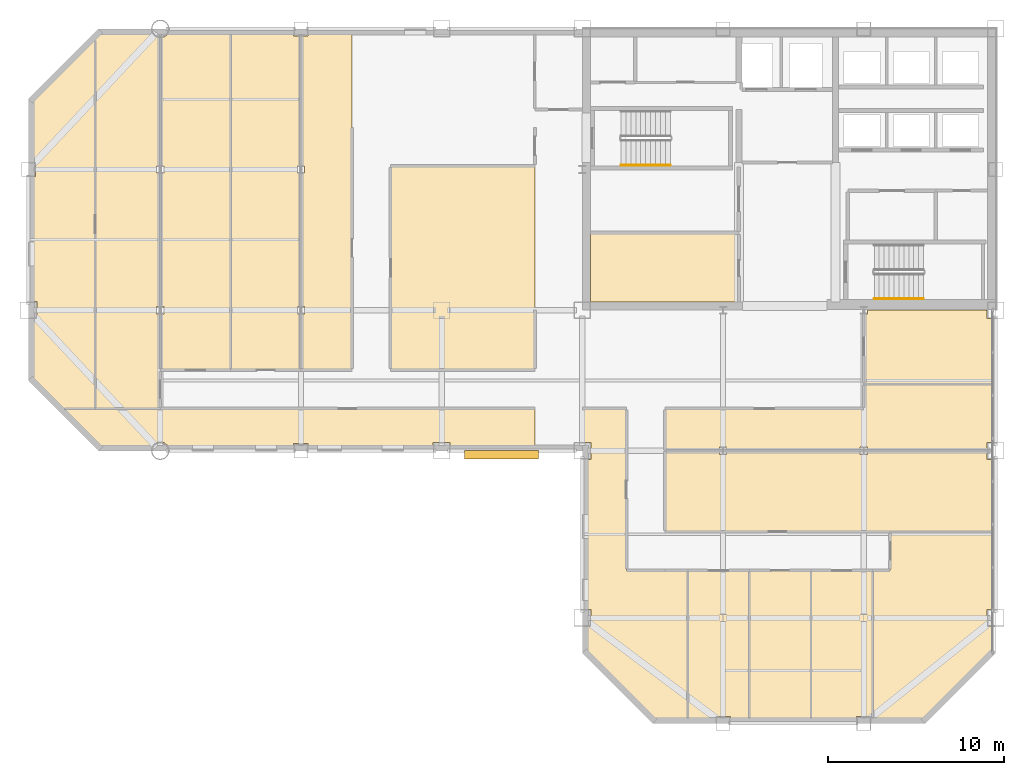
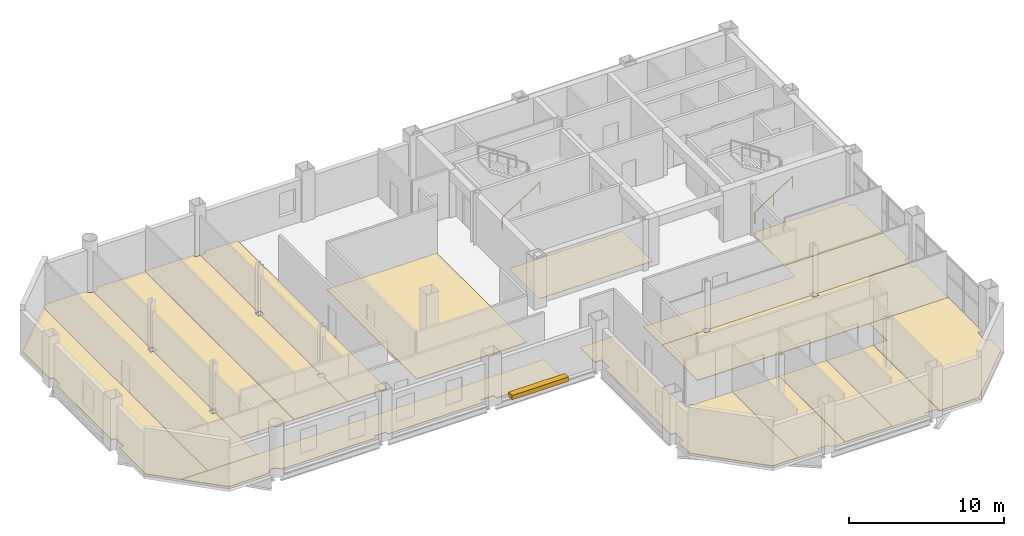
# One storey, part 11 of 12: 16 coverings, 2 railings, 1 shading device.
"""IFC4 building model written with IfcOpenShell, lengths in metres."""

from ifc_helpers import new_model, si_unit, direction, frame, origin, origin_2d, place, context, subcontext, project, spatial, polyline, rectangle, circle, outline, extrude, material, layer, layer_set, type_object, element, save


model = new_model("IFC4")

# Units and contexts
model_context = context("Model", 3, precision=1e-05, world=origin(), true_north=direction((0.0, 1.0)))
body_context = subcontext(model_context, "Body", "Model", "MODEL_VIEW")
ifc_project = project(units=[si_unit("LENGTHUNIT", "METRE"), si_unit("AREAUNIT", "SQUARE_METRE"), si_unit("VOLUMEUNIT", "CUBIC_METRE"), si_unit("PLANEANGLEUNIT", "RADIAN"), si_unit("MASSUNIT", "GRAM", prefix="KILO")], contexts=[model_context])

# Site, building, storey
site_placement = place(None, origin())
site = spatial("IfcSite", under=ifc_project, at=site_placement, CompositionType="ELEMENT")
building_placement = place(site_placement, origin())
building = spatial("IfcBuilding", under=site, at=building_placement, Name="Qianrong Seaharbour Tower", CompositionType="ELEMENT")
storey_placement = place(building_placement, frame((0.0, 0.0, 213.800048828125)))
storey = spatial("IfcBuildingStorey", under=building, at=storey_placement, Name="L51", CompositionType="ELEMENT", Elevation=213.800048828125)

# Coverings
ifc_material_1 = material(Name="Acoustic modular carpet tile flooring")
ifc_layer_1 = layer(ifc_material_1, 0.02001953125)
ifc_layer_set_1 = layer_set([ifc_layer_1], Name="Acoustic modular carpet tile flooring")
covering_type_1 = type_object("IfcCoveringType", Name="COV-FLOOR-CARPET-20", PredefinedType="FLOORING", material=ifc_layer_set_1)
covering_1_placement = place(storey_placement, origin())
element("IfcCovering", 1, at=covering_1_placement, inside=storey, type_object=covering_type_1, Name="L51 Corporate Archive Room Finish Flooring", PredefinedType="FLOORING", context=body_context, shape_type="SweptSolid", body=[
    extrude(outline(polyline([(49.39990234375, 40.39990234375), (49.39990234375, 36.4599609375), (40.985107421875, 36.4599609375), (40.985107421875, 36.485107421875), (40.9599609375, 36.485107421875), (40.9599609375, 40.39990234375), (49.39990234375, 40.39990234375)])), origin(), (0.0, 0.0, 1.0), 0.02001953125),
])
covering_2_placement = place(storey_placement, origin())
element("IfcCovering", 2, at=covering_2_placement, inside=storey, type_object=covering_type_1, Name="L51 Focus Room 2 Finish Flooring", PredefinedType="FLOORING", context=body_context, shape_type="SweptSolid", body=[
    extrude(outline(polyline([(12.800048828125, 51.566650390625), (13.068359375, 51.8349609375), (16.019775390625, 51.8349609375), (16.02880859375, 51.8046875), (16.075927734375, 51.716796875), (16.139404296875, 51.639404296875), (16.216796875, 51.575927734375), (16.3046875, 51.52880859375), (16.400390625, 51.499755859375), (16.5, 51.489990234375), (16.5, 44.2099609375), (16.2900390625, 44.2099609375), (16.2900390625, 43.7900390625), (16.5, 43.7900390625), (16.5, 36.2099609375), (16.2900390625, 36.2099609375), (16.2900390625, 35.7900390625), (16.5, 35.7900390625), (16.5, 30.39990234375), (12.800048828125, 30.39990234375), (12.800048828125, 51.566650390625)])), origin(), (0.0, 0.0, 1.0), 0.02001953125),
])
covering_3_placement = place(storey_placement, origin())
element("IfcCovering", 3, at=covering_3_placement, inside=storey, type_object=covering_type_1, Name="L51 Meeting Room 3 Finish Flooring", PredefinedType="FLOORING", context=body_context, shape_type="SweptSolid", body=[
    extrude(outline(polyline([(20.5, 51.8349609375), (20.5, 32.60009765625), (16.5, 32.60009765625), (16.5, 35.7900390625), (16.7099609375, 35.7900390625), (16.7099609375, 36.2099609375), (16.5, 36.2099609375), (16.5, 43.7900390625), (16.7099609375, 43.7900390625), (16.7099609375, 44.2099609375), (16.5, 44.2099609375), (16.5, 51.489990234375), (16.599609375, 51.499755859375), (16.6953125, 51.52880859375), (16.783203125, 51.575927734375), (16.860595703125, 51.639404296875), (16.924072265625, 51.716796875), (16.97119140625, 51.8046875), (16.980224609375, 51.8349609375), (20.5, 51.8349609375)])), origin(), (0.0, 0.0, 1.0), 0.02001953125),
])
covering_4_placement = place(storey_placement, origin())
element("IfcCovering", 4, at=covering_4_placement, inside=storey, type_object=covering_type_1, Name="L51 Boardroom 2 Finish Flooring", PredefinedType="FLOORING", context=body_context, shape_type="SweptSolid", body=[
    extrude(outline(polyline([(56.5, 30.39990234375), (56.5, 31.800048828125), (63.8349609375, 31.800048828125), (63.8349609375, 28.485107421875), (63.514892578125, 28.485107421875), (63.514892578125, 28.0), (56.7099609375, 28.0), (56.7099609375, 28.2099609375), (56.2900390625, 28.2099609375), (56.2900390625, 28.0), (48.7099609375, 28.0), (48.7099609375, 28.2099609375), (48.2900390625, 28.2099609375), (48.2900390625, 28.0), (45.199951171875, 28.0), (45.199951171875, 30.39990234375), (56.5, 30.39990234375)])), origin(), (0.0, 0.0, 1.0), 0.02001953125),
])
covering_5_placement = place(storey_placement, origin())
element("IfcCovering", 5, at=covering_5_placement, inside=storey, type_object=covering_type_1, Name="L51 Focus Room 3 Finish Flooring", PredefinedType="FLOORING", context=body_context, shape_type="SweptSolid", body=[
    extrude(outline(polyline([(63.8349609375, 31.800048828125), (56.5, 31.800048828125), (56.5, 35.7900390625), (56.7099609375, 35.7900390625), (56.7099609375, 36.0), (63.514892578125, 36.0), (63.514892578125, 35.514892578125), (63.8349609375, 35.514892578125), (63.8349609375, 31.800048828125)])), origin(), (0.0, 0.0, 1.0), 0.02001953125),
])
covering_6_placement = place(storey_placement, origin())
element("IfcCovering", 6, at=covering_6_placement, inside=storey, type_object=covering_type_1, Name="L51 Meeting Room 2 Finish Flooring", PredefinedType="FLOORING", context=body_context, shape_type="SweptSolid", body=[
    extrude(outline(polyline([(48.909912109375, 12.6650390625), (48.909912109375, 12.909912109375), (48.090087890625, 12.909912109375), (48.090087890625, 12.6650390625), (46.5, 12.6650390625), (46.5, 21.199951171875), (50.0, 21.199951171875), (50.0, 12.6650390625), (48.909912109375, 12.6650390625)])), origin(), (0.0, 0.0, 1.0), 0.02001953125),
])
covering_7_placement = place(storey_placement, origin())
element("IfcCovering", 7, at=covering_7_placement, inside=storey, type_object=covering_type_1, Name="L51 Meeting Room 4 Finish Flooring", PredefinedType="FLOORING", context=body_context, shape_type="SweptSolid", body=[
    extrude(outline(polyline([(56.909912109375, 12.6650390625), (56.909912109375, 12.909912109375), (56.090087890625, 12.909912109375), (56.090087890625, 12.6650390625), (53.5, 12.6650390625), (53.5, 21.199951171875), (57.0, 21.199951171875), (57.0, 12.6650390625), (56.909912109375, 12.6650390625)])), origin(), (0.0, 0.0, 1.0), 0.02001953125),
])
ifc_material_2 = material(Name="Calcium-sulphate raised access floor tile")
ifc_layer_2 = layer(ifc_material_2, 0.044921875)
ifc_layer_set_2 = layer_set([ifc_layer_2], Name="Calcium-sulphate raised access floor tile")
covering_type_2 = type_object("IfcCoveringType", Name="COV-FLOOR-RAISED-45", PredefinedType="FLOORING", material=ifc_layer_set_2)
covering_8_placement = place(storey_placement, origin())
element("IfcCovering", 8, at=covering_8_placement, inside=storey, type_object=covering_type_2, Name="L51 Open-Plan Office Finish Flooring", PredefinedType="FLOORING", context=body_context, shape_type="SweptSolid", body=[
    extrude(outline(polyline([(29.60009765625, 44.199951171875), (37.800048828125, 44.199951171875), (37.800048828125, 32.60009765625), (29.60009765625, 32.60009765625), (29.60009765625, 44.199951171875)])), origin(), (0.0, 0.0, 1.0), 0.044921875),
])
covering_9_placement = place(storey_placement, origin())
element("IfcCovering", 9, at=covering_9_placement, inside=storey, type_object=covering_type_2, Name="L51 Executive Office 1 Finish Flooring", PredefinedType="FLOORING", context=body_context, shape_type="SweptSolid", body=[
    extrude(outline(polyline([(9.1650390625, 32.068359375), (9.1650390625, 35.514892578125), (9.485107421875, 35.514892578125), (9.485107421875, 36.485107421875), (9.1650390625, 36.485107421875), (9.1650390625, 43.590087890625), (9.409912109375, 43.590087890625), (9.409912109375, 44.409912109375), (9.1650390625, 44.409912109375), (9.1650390625, 47.931640625), (12.800048828125, 51.566650390625), (12.800048828125, 30.39990234375), (10.833251953125, 30.39990234375), (9.1650390625, 32.068359375)])), origin(), (0.0, 0.0, 1.0), 0.044921875),
])
covering_10_placement = place(storey_placement, origin())
element("IfcCovering", 10, at=covering_10_placement, inside=storey, type_object=covering_type_2, Name="L51 Executive Office 4 Finish Flooring", PredefinedType="FLOORING", context=body_context, shape_type="SweptSolid", body=[
    extrude(outline(polyline([(24.090087890625, 51.8349609375), (24.090087890625, 51.590087890625), (24.5, 51.590087890625), (24.5, 44.2099609375), (24.2900390625, 44.2099609375), (24.2900390625, 43.7900390625), (24.5, 43.7900390625), (24.5, 36.2099609375), (24.2900390625, 36.2099609375), (24.2900390625, 35.7900390625), (24.5, 35.7900390625), (24.5, 32.60009765625), (20.5, 32.60009765625), (20.5, 51.8349609375), (24.090087890625, 51.8349609375)])), origin(), (0.0, 0.0, 1.0), 0.044921875),
])
covering_11_placement = place(storey_placement, origin())
element("IfcCovering", 11, at=covering_11_placement, inside=storey, type_object=covering_type_2, Name="L51 Executive Office 5 Finish Flooring", PredefinedType="FLOORING", context=body_context, shape_type="SweptSolid", body=[
    extrude(outline(polyline([(27.39990234375, 51.8349609375), (27.39990234375, 32.60009765625), (24.5, 32.60009765625), (24.5, 35.7900390625), (24.7099609375, 35.7900390625), (24.7099609375, 36.2099609375), (24.5, 36.2099609375), (24.5, 43.7900390625), (24.7099609375, 43.7900390625), (24.7099609375, 44.2099609375), (24.5, 44.2099609375), (24.5, 51.590087890625), (24.909912109375, 51.590087890625), (24.909912109375, 51.8349609375), (27.39990234375, 51.8349609375)])), origin(), (0.0, 0.0, 1.0), 0.044921875),
])
covering_12_placement = place(storey_placement, origin())
element("IfcCovering", 12, at=covering_12_placement, inside=storey, type_object=covering_type_2, Name="L51 Executive Office 1 Finish Flooring", PredefinedType="FLOORING", context=body_context, shape_type="SweptSolid", body=[
    extrude(outline(polyline([(48.2900390625, 28.0), (48.2900390625, 27.7900390625), (48.7099609375, 27.7900390625), (48.7099609375, 28.0), (56.2900390625, 28.0), (56.2900390625, 27.7900390625), (56.7099609375, 27.7900390625), (56.7099609375, 28.0), (63.514892578125, 28.0), (63.514892578125, 27.514892578125), (63.8349609375, 27.514892578125), (63.8349609375, 23.39990234375), (45.199951171875, 23.39990234375), (45.199951171875, 28.0), (48.2900390625, 28.0)])), origin(), (0.0, 0.0, 1.0), 0.044921875),
])
covering_13_placement = place(storey_placement, origin())
element("IfcCovering", 13, at=covering_13_placement, inside=storey, type_object=covering_type_2, Name="L51 Executive Office 1 Finish Flooring", PredefinedType="FLOORING", context=body_context, shape_type="SweptSolid", body=[
    extrude(outline(polyline([(32.985107421875, 28.1650390625), (32.985107421875, 28.485107421875), (32.014892578125, 28.485107421875), (32.014892578125, 28.1650390625), (24.909912109375, 28.1650390625), (24.909912109375, 28.409912109375), (24.090087890625, 28.409912109375), (24.090087890625, 28.1650390625), (16.980224609375, 28.1650390625), (16.97119140625, 28.1953125), (16.924072265625, 28.283203125), (16.860595703125, 28.360595703125), (16.783203125, 28.424072265625), (16.6953125, 28.47119140625), (16.599609375, 28.500244140625), (16.5, 28.510009765625), (16.400390625, 28.500244140625), (16.3046875, 28.47119140625), (16.216796875, 28.424072265625), (16.139404296875, 28.360595703125), (16.075927734375, 28.283203125), (16.02880859375, 28.1953125), (16.019775390625, 28.1650390625), (13.068359375, 28.1650390625), (10.833251953125, 30.39990234375), (37.800048828125, 30.39990234375), (37.800048828125, 28.1650390625), (32.985107421875, 28.1650390625)])), origin(), (0.0, 0.0, 1.0), 0.044921875),
])
covering_14_placement = place(storey_placement, origin())
element("IfcCovering", 14, at=covering_14_placement, inside=storey, type_object=covering_type_2, Name="L51 Executive Office 1 Finish Flooring", PredefinedType="FLOORING", context=body_context, shape_type="SweptSolid", body=[
    extrude(outline(polyline([(43.0, 21.199951171875), (46.5, 21.199951171875), (46.5, 12.6650390625), (44.568359375, 12.6650390625), (40.6650390625, 16.568359375), (40.6650390625, 18.014892578125), (40.985107421875, 18.014892578125), (40.985107421875, 18.985107421875), (40.6650390625, 18.985107421875), (40.6650390625, 27.514892578125), (40.985107421875, 27.514892578125), (40.985107421875, 28.485107421875), (40.5, 28.485107421875), (40.5, 30.39990234375), (43.0, 30.39990234375), (43.0, 21.199951171875)])), origin(), (0.0, 0.0, 1.0), 0.044921875),
])
covering_15_placement = place(storey_placement, origin())
element("IfcCovering", 15, at=covering_15_placement, inside=storey, type_object=covering_type_2, Name="L51 Executive Office 3 Finish Flooring", PredefinedType="FLOORING", context=body_context, shape_type="SweptSolid", body=[
    extrude(outline(polyline([(50.0, 12.6650390625), (50.0, 21.199951171875), (53.5, 21.199951171875), (53.5, 12.6650390625), (50.0, 12.6650390625)])), origin(), (0.0, 0.0, 1.0), 0.044921875),
])
covering_16_placement = place(storey_placement, origin())
element("IfcCovering", 16, at=covering_16_placement, inside=storey, type_object=covering_type_2, Name="L51 Executive Office 5 Finish Flooring", PredefinedType="FLOORING", context=body_context, shape_type="SweptSolid", body=[
    extrude(outline(polyline([(59.931640625, 12.6650390625), (57.0, 12.6650390625), (57.0, 21.199951171875), (58.0, 21.199951171875), (58.0, 23.39990234375), (63.8349609375, 23.39990234375), (63.8349609375, 18.985107421875), (63.514892578125, 18.985107421875), (63.514892578125, 18.014892578125), (63.8349609375, 18.014892578125), (63.8349609375, 16.568359375), (59.931640625, 12.6650390625)])), origin(), (0.0, 0.0, 1.0), 0.044921875),
])

# Railings
ifc_material_3 = material(Name="Stainless steel SUS316L continuous handrail", Category="steel")
railing_type = type_object("IfcRailingType", Name="RAIL-STAIR-HANDRAIL-900", PredefinedType="HANDRAIL", material=ifc_material_3)
railing_1_placement = place(storey_placement, frame((42.699951171875, 44.25, 0.181884765625)))
element("IfcRailing", 17, at=railing_1_placement, inside=storey, type_object=railing_type, Name="L51 ST-1 stair handrail 1", PredefinedType="HANDRAIL", context=body_context, shape_type="SweptSolid", body=[
    extrude(circle(Radius=0.02392578125, at=origin_2d()), frame((0.0, 0.0, 0.8759765625), z_axis=(0.838705829183, 0.0, 0.544584733623), x_axis=(0.0, 1.0, 0.0)), (0.0, 0.0, 1.0), 3.338623046875),
    extrude(circle(Radius=0.02099609375, at=origin_2d()), origin(), (0.0, 0.0, 1.0), 0.851806640625),
    extrude(circle(Radius=0.02099609375, at=origin_2d()), frame((1.39990234375, 0.0, 0.9091796875)), (0.0, 0.0, 1.0), 0.851806640625),
    extrude(circle(Radius=0.02099609375, at=origin_2d()), frame((2.800048828125, 0.0, 1.818115234375)), (0.0, 0.0, 1.0), 0.851806640625),
])
railing_2_placement = place(storey_placement, frame((57.10009765625, 36.64990234375, 0.181884765625)))
element("IfcRailing", 18, at=railing_2_placement, inside=storey, type_object=railing_type, Name="L51 ST-2 stair handrail 1", PredefinedType="HANDRAIL", context=body_context, shape_type="SweptSolid", body=[
    extrude(circle(Radius=0.02392578125, at=origin_2d()), frame((0.0, 0.0, 0.8759765625), z_axis=(0.83868413941, 0.0, 0.544618136222), x_axis=(0.0, 1.0, 0.0)), (0.0, 0.0, 1.0), 3.33837890625),
    extrude(circle(Radius=0.02099609375, at=origin_2d()), origin(), (0.0, 0.0, 1.0), 0.851806640625),
    extrude(circle(Radius=0.02099609375, at=origin_2d()), frame((1.39990234375, 0.0, 0.9091796875)), (0.0, 0.0, 1.0), 0.851806640625),
    extrude(circle(Radius=0.02099609375, at=origin_2d()), frame((2.7998046875, 0.0, 1.818115234375)), (0.0, 0.0, 1.0), 0.851806640625),
])

# Shading device
ifc_material_4 = material(Name="White architectural precast concrete C45/55", Category="concrete")
shading_device_type = type_object("IfcShadingDeviceType", Name="SHD-SUNSHADE-WHITE-320", PredefinedType="AWNING", material=ifc_material_4)
shading_device_placement = place(storey_placement, frame((35.89990234375, 27.780029296875, -0.02001953125), z_axis=(0.0, 0.0, 1.0), x_axis=(1.0, 0.0, 0.0)))
element("IfcShadingDevice", 19, at=shading_device_placement, inside=storey, type_object=shading_device_type, Name="L51 Climbing White Precast Ribbon Canopy Fin", PredefinedType="AWNING", context=body_context, shape_type="SweptSolid", body=[
    extrude(rectangle(XDim=4.199951171875, YDim=0.4599609375, at=origin_2d()), origin(), (0.0, 0.0, 1.0), 0.340087890625),
])

save(model, "model.ifc")
